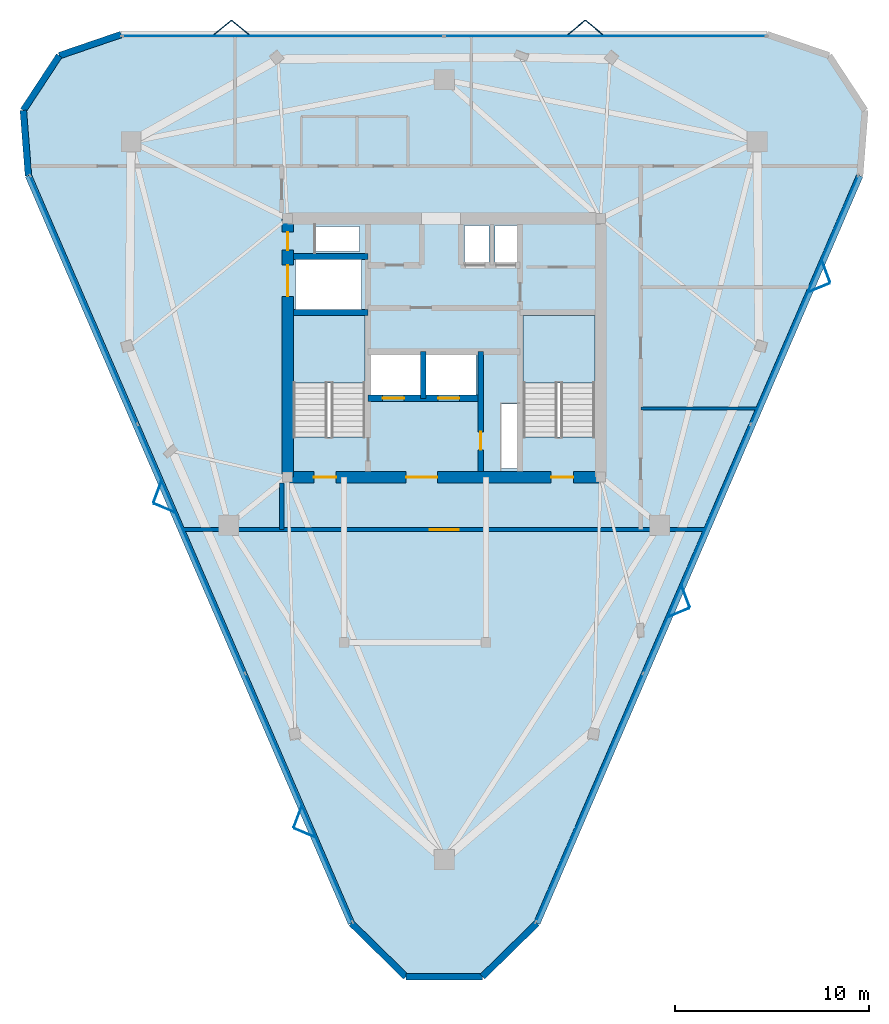
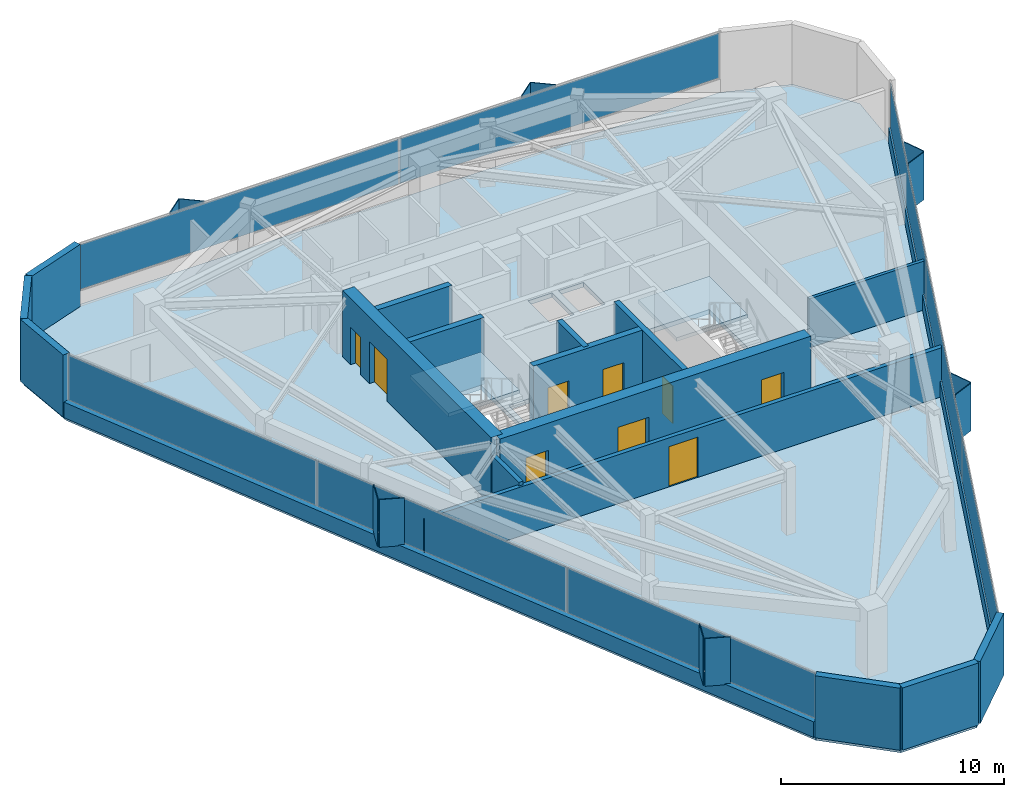
# One storey, part 8 of 11: 20 plates, 18 walls, 9 doors, 3 slabs, 9 openings, 5 elements without a shape of their own.
"""IFC4 building model written with IfcOpenShell, lengths in metres."""

import ifcopenshell
import ifcopenshell.guid

model = None  # the IFC model being written
_history = None  # IfcOwnerHistory: only IFC2X3 demands one
_inside = {}  # id of a spatial element -> (the spatial element, [elements in it])
_under = {}  # id of a project, library or spatial element -> (it, [spatial elements below it])
_declared = {}  # id of a project -> (the project, [libraries it declares])
_typed = {}  # id of a type object -> (the type object, [elements of that type])
_made_of = {}  # id of a material, layer set ... -> (it, [elements and type objects made of it])


def new_model(schema):
    """Start an empty IFC model of exactly this schema.

    Asked for "IFC4X3", IfcOpenShell would pick the latest addendum, in which some entities
    have other attributes; the version numbers below select the first issue.
    IFC2X3 requires an IfcOwnerHistory on every rooted entity: one is made here for all.
    """
    global model, _history
    if schema == "IFC4X3":
        model = ifcopenshell.file(schema_version=(4, 3, 0, 0))
    else:
        model = ifcopenshell.file(schema=schema)
    _inside.clear()
    _under.clear()
    _declared.clear()
    _typed.clear()
    _made_of.clear()
    _history = None
    if model.schema == "IFC2X3":
        org = make("IfcOrganization", Name="unknown")
        user = make(
            "IfcPersonAndOrganization",
            ThePerson=make("IfcPerson", FamilyName="unknown"),
            TheOrganization=org,
        )
        app = make(
            "IfcApplication",
            ApplicationDeveloper=org,
            Version="unknown",
            ApplicationFullName="unknown",
            ApplicationIdentifier="unknown",
        )
        _history = make(
            "IfcOwnerHistory",
            OwningUser=user,
            OwningApplication=app,
            ChangeAction="ADDED",
            CreationDate=0,
        )
    return model


def make(cls, **values):
    """One entity of the class cls with the attributes given. An attribute that is None is left unset."""
    return model.create_entity(
        cls, **{name: value for name, value in values.items() if value is not None}
    )


def rooted(cls, **values):
    """An entity with a GlobalId (a new one), such as an element, a storey or a relation."""
    return make(cls, GlobalId=ifcopenshell.guid.new(), OwnerHistory=_history, **values)


def si_unit(unit_type, name, prefix=None):
    """IfcSIUnit, for example si_unit("LENGTHUNIT", "METRE", prefix="MILLI")."""
    return make("IfcSIUnit", UnitType=unit_type, Prefix=prefix, Name=name)


def assignment(units):
    """IfcUnitAssignment: the units of a project."""
    return None if units is None else make("IfcUnitAssignment", Units=units)


def point(xyz):
    """IfcCartesianPoint."""
    return None if xyz is None else make("IfcCartesianPoint", Coordinates=xyz)


def direction(xyz):
    """IfcDirection."""
    return None if xyz is None else make("IfcDirection", DirectionRatios=xyz)


def frame(location, z_axis=None, x_axis=None):
    """IfcAxis2Placement3D, a coordinate frame: its origin and axes. An axis left out is left unset."""
    return make(
        "IfcAxis2Placement3D",
        Location=point(location),
        Axis=direction(z_axis),
        RefDirection=direction(x_axis),
    )


def frame_2d(location, x_axis=None):
    """IfcAxis2Placement2D, a coordinate frame in the plane: its origin and x axis."""
    return make(
        "IfcAxis2Placement2D", Location=point(location), RefDirection=direction(x_axis)
    )


def origin():
    """The frame at (0, 0, 0) with its axes left unset."""
    return frame((0.0, 0.0, 0.0))


def origin_2d():
    """The frame at (0, 0) in the plane with its x axis left unset."""
    return frame_2d((0.0, 0.0))


def place(relative_to, where):
    """IfcLocalPlacement: puts the frame where relative to a parent placement (None: the world)."""
    return make(
        "IfcLocalPlacement", PlacementRelTo=relative_to, RelativePlacement=where
    )


def context(
    kind, dimensions, precision=None, world=None, true_north=None, identifier=None
):
    """IfcGeometricRepresentationContext, for example the 3D "Model" context."""
    return make(
        "IfcGeometricRepresentationContext",
        ContextIdentifier=identifier,
        ContextType=kind,
        CoordinateSpaceDimension=dimensions,
        Precision=precision,
        WorldCoordinateSystem=world,
        TrueNorth=true_north,
    )


def subcontext(parent, identifier, kind, view, scale=None):
    """IfcGeometricRepresentationSubContext, for example "Body" below "Model"."""
    return make(
        "IfcGeometricRepresentationSubContext",
        ContextIdentifier=identifier,
        ContextType=kind,
        ParentContext=parent,
        TargetScale=scale,
        TargetView=view,
    )


def project(units=None, contexts=None):
    """IfcProject with its units and contexts."""
    return rooted(
        "IfcProject",
        Name="project",
        RepresentationContexts=contexts,
        UnitsInContext=assignment(units),
    )


def spatial(cls, under=None, at=None, **own):
    """A site, building, storey or space (cls), placed at a placement, below another one or the project."""
    s = rooted(cls, ObjectPlacement=at, **own)
    if under is not None:
        _under.setdefault(under.id(), (under, []))[1].append(s)
    return s


def polyline(points):
    """IfcPolyline through the points."""
    return make("IfcPolyline", Points=[point(p) for p in points])


def profile(cls, at=None, kind="AREA", **sizes):
    """A parametric profile (cls). Its sizes go by their IFC names, for example OverallWidth=200.0."""
    return make(cls, ProfileType=kind, Position=at, **sizes)


def rectangle(**sizes):
    """IfcRectangleProfileDef."""
    return profile("IfcRectangleProfileDef", **sizes)


def outline(outer, holes=None, kind="AREA"):
    """IfcArbitraryClosedProfileDef: a profile drawn as a closed curve; with holes, ...WithVoids."""
    if holes is None:
        return make("IfcArbitraryClosedProfileDef", ProfileType=kind, OuterCurve=outer)
    return make(
        "IfcArbitraryProfileDefWithVoids",
        ProfileType=kind,
        OuterCurve=outer,
        InnerCurves=holes,
    )


def extrude(swept, where, along, depth):
    """IfcExtrudedAreaSolid: the profile swept, set in the frame where, extruded along a direction by depth."""
    return make(
        "IfcExtrudedAreaSolid",
        SweptArea=swept,
        Position=where,
        ExtrudedDirection=direction(along),
        Depth=depth,
    )


def shape(context_of_items, identifier, shape_type, items):
    """IfcShapeRepresentation: the items that make up one representation, for example the "Body"."""
    return make(
        "IfcShapeRepresentation",
        ContextOfItems=context_of_items,
        RepresentationIdentifier=identifier,
        RepresentationType=shape_type,
        Items=items,
    )


def material(Name=None, Category=None):
    """IfcMaterial."""
    return make("IfcMaterial", Name=Name, Category=Category)


def layer(
    of_material, thickness, ventilated=None, Name=None, Category=None, Priority=None
):
    """IfcMaterialLayer: one layer of a wall or slab, of a material (None: an air gap)."""
    return make(
        "IfcMaterialLayer",
        Material=of_material,
        LayerThickness=thickness,
        IsVentilated=ventilated,
        Name=Name,
        Category=Category,
        Priority=Priority,
    )


def layer_set(layers, Name=None):
    """IfcMaterialLayerSet."""
    return make("IfcMaterialLayerSet", MaterialLayers=layers, LayerSetName=Name)


def made_of(thing, what):
    """Note that an element or type object is made of a material, layer set ...; save() writes the relation."""
    if what is not None:
        _made_of.setdefault(what.id(), (what, []))[1].append(thing)
    return thing


def type_object(cls, material=None, **own):
    """A type object (cls), such as IfcWallType, which elements share."""
    return made_of(rooted(cls, **own), material)


def element(
    cls,
    number,
    at=None,
    inside=None,
    cuts=None,
    type_object=None,
    material=None,
    context=None,
    identifier="Body",
    shape_type=None,
    held_by="IfcProductDefinitionShape",
    body=None,
    shapes=None,
    **own,
):
    """One element of the class cls, such as IfcWall. Its Tag is "e" and its number.

    at: its placement. inside: the storey or other place that contains it. cuts: it is an
    opening in that element (IfcRelVoidsElement). A single representation is given by context,
    identifier, shape_type and body (its items); several are given by shapes. held_by: the class
    of the entity that holds the representations. save() writes the other relations.
    """
    e = rooted(cls, Tag="e%d" % number, ObjectPlacement=at, **own)
    if body is not None:
        shapes = [shape(context, identifier, shape_type, body)]
    if shapes is not None:
        e.Representation = make(held_by, Representations=shapes)
    if inside is not None:
        _inside.setdefault(inside.id(), (inside, []))[1].append(e)
    if cuts is not None:
        rooted(
            "IfcRelVoidsElement", RelatingBuildingElement=cuts, RelatedOpeningElement=e
        )
    if type_object is not None:
        _typed.setdefault(type_object.id(), (type_object, []))[1].append(e)
    return made_of(e, material)


def fill(opening, filler):
    """IfcRelFillsElement: the door or window that sits in an opening."""
    return rooted(
        "IfcRelFillsElement",
        RelatingOpeningElement=opening,
        RelatedBuildingElement=filler,
    )


def aggregate(whole, parts):
    """IfcRelAggregates: a whole, such as a stair, and the parts it consists of."""
    return rooted("IfcRelAggregates", RelatingObject=whole, RelatedObjects=parts)


def save(model, path):
    """Write the relations noted so far, then the file.

    IfcRelAggregates (storeys below a building ...), IfcRelContainedInSpatialStructure (elements
    in a storey), IfcRelDefinesByType, IfcRelAssociatesMaterial and IfcRelDeclares: one each for
    every whole, place, type object, material and project.
    """
    for whole, parts in _under.values():
        aggregate(whole, parts)
    for where, things in _inside.values():
        rooted(
            "IfcRelContainedInSpatialStructure",
            RelatedElements=things,
            RelatingStructure=where,
        )
    for kind, things in _typed.values():
        rooted("IfcRelDefinesByType", RelatedObjects=things, RelatingType=kind)
    for what, things in _made_of.values():
        rooted("IfcRelAssociatesMaterial", RelatedObjects=things, RelatingMaterial=what)
    for by, libraries in _declared.values():
        rooted("IfcRelDeclares", RelatingContext=by, RelatedDefinitions=libraries)
    model.write(path)


model = new_model("IFC4")

# Units and contexts
model_context = context("Model", 3, precision=1e-05, world=origin(), true_north=direction((0.0, 1.0)))
body_context = subcontext(model_context, "Body", "Model", "MODEL_VIEW")
ifc_project = project(units=[si_unit("LENGTHUNIT", "METRE"), si_unit("AREAUNIT", "SQUARE_METRE"), si_unit("VOLUMEUNIT", "CUBIC_METRE"), si_unit("PLANEANGLEUNIT", "RADIAN"), si_unit("MASSUNIT", "GRAM", prefix="KILO")], contexts=[model_context])

# Site, building, storey
site_placement = place(None, origin())
site = spatial("IfcSite", under=ifc_project, at=site_placement, CompositionType="ELEMENT")
building_placement = place(site_placement, origin())
building = spatial("IfcBuilding", under=site, at=building_placement, Name="Talyreon Biosciences Tower", CompositionType="ELEMENT")
storey_placement = place(building_placement, frame((0.0, 0.0, 283.800048828125)))
storey = spatial("IfcBuildingStorey", under=building, at=storey_placement, Name="L75", CompositionType="ELEMENT", Elevation=283.800048828125)

# Curtain wall, plates
ifc_material_1 = material(Name="Thermally broken aluminium and low-E glazing", Category="aluminium")
ifc_layer_1 = layer(ifc_material_1, 0.175048828125)
ifc_layer_set_1 = layer_set([ifc_layer_1], Name="Thermally broken aluminium and low-E glazing")
curtain_wall_type = type_object("IfcCurtainWallType", Name="CurtainWall_Zone5CompLab", PredefinedType="NOTDEFINED", material=ifc_layer_set_1)
curtain_wall_1_placement = place(storey_placement, origin())
curtain_wall_1 = element("IfcCurtainWall", 1, at=curtain_wall_1_placement, inside=storey, type_object=curtain_wall_type, Name="L75 Unitised Curtain Wall FCW-L75-00", PredefinedType="NOTDEFINED")
ifc_material_2 = material(Name="Triple-silver low-E insulated glazing", Category="glass")
ifc_layer_2 = layer(ifc_material_2, 0.031982421875)
ifc_layer_set_2 = layer_set([ifc_layer_2], Name="Triple-silver low-E insulated glazing")
plate_type_1 = type_object("IfcPlateType", Name="CWGlazingPanel_32", PredefinedType="CURTAIN_PANEL", material=ifc_layer_set_2)
plate_1_placement = place(storey_placement, frame((58.525390625, 44.86083984375, 0.875), z_axis=(0.0, 0.0, 1.0), x_axis=(-0.396528446404, 0.918022435016, 0.0)))
plate_1 = element("IfcPlate", 2, at=plate_1_placement, type_object=plate_type_1, Name="CW6 panel 1.1", PredefinedType="CURTAIN_PANEL", context=body_context, shape_type="SweptSolid", body=[
    extrude(rectangle(XDim=13.863525390625, YDim=0.031982421875, at=origin_2d()), origin(), (0.0, 0.0, 1.0), 2.4599609375),
])
plate_2_placement = place(storey_placement, frame((52.995849609375, 57.662353515625, 0.875), z_axis=(0.0, 0.0, 1.0), x_axis=(-0.396528446404, 0.918022435016, 0.0)))
plate_2 = element("IfcPlate", 3, at=plate_2_placement, type_object=plate_type_1, Name="CW6 panel 2.1", PredefinedType="CURTAIN_PANEL", context=body_context, shape_type="SweptSolid", body=[
    extrude(rectangle(XDim=13.89599609375, YDim=0.031982421875, at=origin_2d()), origin(), (0.0, 0.0, 1.0), 2.4599609375),
])
plate_3_placement = place(storey_placement, frame((47.46630859375, 70.4638671875, 0.875), z_axis=(0.0, 0.0, 1.0), x_axis=(-0.396528446404, 0.918022435016, 0.0)))
plate_3 = element("IfcPlate", 4, at=plate_3_placement, type_object=plate_type_1, Name="CW6 panel 3.1", PredefinedType="CURTAIN_PANEL", context=body_context, shape_type="SweptSolid", body=[
    extrude(rectangle(XDim=13.863525390625, YDim=0.031982421875, at=origin_2d()), origin(), (0.0, 0.0, 1.0), 2.4599609375),
])
aggregate(curtain_wall_1, [plate_1, plate_2, plate_3])

curtain_wall_2_placement = place(storey_placement, origin())
curtain_wall_2 = element("IfcCurtainWall", 5, at=curtain_wall_2_placement, inside=storey, type_object=curtain_wall_type, Name="L75 Unitised Curtain Wall FCW-L75-04", PredefinedType="NOTDEFINED")
plate_4_placement = place(storey_placement, frame((57.71240234375, 84.037109375, 0.875), z_axis=(0.0, 0.0, 1.0), x_axis=(1.0, 0.0, 0.0)))
plate_4 = element("IfcPlate", 6, at=plate_4_placement, type_object=plate_type_1, Name="CW6 panel 1.1", PredefinedType="CURTAIN_PANEL", context=body_context, shape_type="SweptSolid", body=[
    extrude(rectangle(XDim=16.51025390625, YDim=0.031982421875, at=origin_2d()), origin(), (0.0, 0.0, 1.0), 2.4599609375),
])
plate_5_placement = place(storey_placement, frame((74.28759765625, 84.037109375, 0.875), z_axis=(0.0, 0.0, 1.0), x_axis=(1.0, 0.0, 0.0)))
plate_5 = element("IfcPlate", 7, at=plate_5_placement, type_object=plate_type_1, Name="CW6 panel 2.1", PredefinedType="CURTAIN_PANEL", context=body_context, shape_type="SweptSolid", body=[
    extrude(rectangle(XDim=16.51025390625, YDim=0.031982421875, at=origin_2d()), origin(), (0.0, 0.0, 1.0), 2.4599609375),
])
aggregate(curtain_wall_2, [plate_4, plate_5])

curtain_wall_3_placement = place(storey_placement, origin())
curtain_wall_3 = element("IfcCurtainWall", 8, at=curtain_wall_3_placement, inside=storey, type_object=curtain_wall_type, Name="L75 Unitised Curtain Wall FCW-L75-08", PredefinedType="NOTDEFINED")
plate_6_placement = place(storey_placement, frame((84.53369140625, 70.4638671875, 0.875), z_axis=(0.0, 0.0, 1.0), x_axis=(-0.396528446404, -0.918022435016, 0.0)))
plate_6 = element("IfcPlate", 9, at=plate_6_placement, type_object=plate_type_1, Name="CW6 panel 1.1", PredefinedType="CURTAIN_PANEL", context=body_context, shape_type="SweptSolid", body=[
    extrude(rectangle(XDim=13.863525390625, YDim=0.031982421875, at=origin_2d()), origin(), (0.0, 0.0, 1.0), 2.4599609375),
])
plate_7_placement = place(storey_placement, frame((79.004150390625, 57.662353515625, 0.875), z_axis=(0.0, 0.0, 1.0), x_axis=(-0.396528446404, -0.918022435016, 0.0)))
plate_7 = element("IfcPlate", 10, at=plate_7_placement, type_object=plate_type_1, Name="CW6 panel 2.1", PredefinedType="CURTAIN_PANEL", context=body_context, shape_type="SweptSolid", body=[
    extrude(rectangle(XDim=13.89599609375, YDim=0.031982421875, at=origin_2d()), origin(), (0.0, 0.0, 1.0), 2.4599609375),
])
plate_8_placement = place(storey_placement, frame((73.474609375, 44.86083984375, 0.875), z_axis=(0.0, 0.0, 1.0), x_axis=(-0.396528446404, -0.918022435016, 0.0)))
plate_8 = element("IfcPlate", 11, at=plate_8_placement, type_object=plate_type_1, Name="CW6 panel 3.1", PredefinedType="CURTAIN_PANEL", context=body_context, shape_type="SweptSolid", body=[
    extrude(rectangle(XDim=13.863525390625, YDim=0.031982421875, at=origin_2d()), origin(), (0.0, 0.0, 1.0), 2.4599609375),
])
aggregate(curtain_wall_3, [plate_6, plate_7, plate_8])

# Slab
ifc_material_3 = material(Name="Concrete C40/50", Category="concrete")
ifc_layer_3 = layer(ifc_material_3, 0.25)
ifc_layer_set_3 = layer_set([ifc_layer_3], Name="Concrete C40/50")
slab_type_1 = type_object("IfcSlabType", Name="DryLabFloorSlab_250", PredefinedType="FLOOR", material=ifc_layer_set_3)
slab_1_placement = place(storey_placement, frame((0.0, 0.0, -0.25)))
element("IfcSlab", 12, at=slab_1_placement, inside=storey, type_object=slab_type_1, Name="L75 Structural Floor Slab", PredefinedType="FLOOR", context=body_context, shape_type="SweptSolid", body=[
    extrude(outline(polyline([(61.226318359375, 38.406005859375), (44.61865234375, 76.855224609375), (44.356201171875, 80.212646484375), (46.2060546875, 83.02685546875), (49.392333984375, 84.1171875), (82.607666015625, 84.1171875), (85.7939453125, 83.02685546875), (87.643798828125, 80.212646484375), (87.38134765625, 76.855224609375), (70.773681640625, 38.406005859375), (67.9658203125, 35.65380859375), (64.0341796875, 35.65380859375), (61.226318359375, 38.406005859375)]), holes=[polyline([(69.820068359375, 65.10009765625), (69.820068359375, 61.800048828125), (68.9599609375, 61.800048828125), (68.9599609375, 65.10009765625), (69.820068359375, 65.10009765625)]), polyline([(61.929931640625, 69.64990234375), (61.929931640625, 63.407958984375), (58.25, 63.407958984375), (58.25, 69.64990234375), (61.929931640625, 69.64990234375)]), polyline([(73.75, 69.64990234375), (73.75, 63.407958984375), (70.070068359375, 63.407958984375), (70.070068359375, 69.64990234375), (73.75, 69.64990234375)]), polyline([(64.800048828125, 67.64990234375), (64.800048828125, 65.550048828125), (62.199951171875, 65.550048828125), (62.199951171875, 67.64990234375), (64.800048828125, 67.64990234375)]), polyline([(67.64990234375, 67.64990234375), (67.64990234375, 65.550048828125), (65.050048828125, 65.550048828125), (65.050048828125, 67.64990234375), (67.64990234375, 67.64990234375)]), polyline([(61.75, 72.550048828125), (61.75, 69.97998046875), (58.35009765625, 69.97998046875), (58.35009765625, 72.550048828125), (61.75, 72.550048828125)]), polyline([(68.300048828125, 74.300048828125), (68.300048828125, 72.35009765625), (67.050048828125, 72.35009765625), (67.050048828125, 74.300048828125), (68.300048828125, 74.300048828125)]), polyline([(69.919921875, 72.35009765625), (68.6201171875, 72.35009765625), (68.6201171875, 74.300048828125), (69.919921875, 74.300048828125), (69.919921875, 72.35009765625)]), polyline([(61.64990234375, 72.9599609375), (59.39990234375, 72.9599609375), (59.39990234375, 74.25), (61.64990234375, 74.25), (61.64990234375, 72.9599609375)])]), origin(), (0.0, 0.0, 1.0), 0.25),
])

# Plates
ifc_material_4 = material(Name="Ivory GFRC sunshade panel", Category="concrete")
ifc_layer_4 = layer(ifc_material_4, 0.044921875)
ifc_layer_set_4 = layer_set([ifc_layer_4], Name="Ivory GFRC sunshade panel")
plate_type_2 = type_object("IfcPlateType", Name="FoldedVSunshade_NorthFace_SUNSHADE", PredefinedType="USERDEFINED", material=ifc_layer_set_4)
for number, where, z_axis, x_axis, name in (
    (13, (54.6123046875, 84.477294921875, 0.7900390625), (0.0, 0.0, 1.0), (0.771624583388, 0.636078220278, 0.0), "L75 Folded V-Sunshade Panel 04.01L"),
    (14, (55.51220703125, 84.477294921875, 0.7900390625), (0.0, 0.0, 1.0), (0.771624583388, -0.636078220278, 0.0), "L75 Folded V-Sunshade Panel 04.01R"),
    (15, (72.812255859375, 84.477294921875, 0.7900390625), (0.0, 0.0, 1.0), (0.771624583388, 0.636078220278, 0.0), "L75 Folded V-Sunshade Panel 04.02L"),
    (16, (73.71240234375, 84.477294921875, 0.7900390625), (0.0, 0.0, 1.0), (0.771624583388, -0.636078220278, 0.0), "L75 Folded V-Sunshade Panel 04.02R"),
):
    element("IfcPlate", number, at=place(storey_placement, frame(where, z_axis=z_axis, x_axis=x_axis)), inside=storey, type_object=plate_type_2, Name=name, ObjectType="SUNSHADE", PredefinedType="USERDEFINED", context=body_context, shape_type="SweptSolid", body=[
        extrude(rectangle(XDim=1.14990234375, YDim=0.044921875, at=origin_2d()), origin(), (0.0, 0.0, 1.0), 2.610107421875),
    ])
ifc_layer_5 = layer(ifc_material_4, 0.044921875)
ifc_layer_set_5 = layer_set([ifc_layer_5], Name="Ivory GFRC sunshade panel")
plate_type_3 = type_object("IfcPlateType", Name="FoldedVSunshade_SunFace_SUNSHADE", PredefinedType="USERDEFINED", material=ifc_layer_set_5)
for number, where, z_axis, x_axis, name in (
    (17, (58.825927734375, 43.055419921875, 0.7900390625), (0.0, 0.0, 1.0), (-0.922948421732, 0.384923642846, 0.0), "L75 Folded V-Sunshade Panel 00.01L"),
    (18, (58.468994140625, 43.881591796875, 0.7900390625), (0.0, 0.0, 1.0), (0.352478722362, 0.935819827895, 0.0), "L75 Folded V-Sunshade Panel 00.01R"),
    (19, (51.609130859375, 59.76318359375, 0.7900390625), (0.0, 0.0, 1.0), (-0.922948421732, 0.384923642846, 0.0), "L75 Folded V-Sunshade Panel 00.02L"),
    (20, (51.252197265625, 60.589599609375, 0.7900390625), (0.0, 0.0, 1.0), (0.352478722362, 0.935819827895, 0.0), "L75 Folded V-Sunshade Panel 00.02R"),
    (21, (85.64208984375, 71.92041015625, 0.7900390625), (0.0, 0.0, 1.0), (0.352478722362, -0.935819827895, 0.0), "L75 Folded V-Sunshade Panel 08.01L"),
    (22, (85.28515625, 71.09423828125, 0.7900390625), (0.0, 0.0, 1.0), (-0.922948421732, -0.384923642846, 0.0), "L75 Folded V-Sunshade Panel 08.01R"),
    (23, (78.42529296875, 55.21240234375, 0.7900390625), (0.0, 0.0, 1.0), (0.352478722362, -0.935819827895, 0.0), "L75 Folded V-Sunshade Panel 08.02L"),
    (24, (78.068359375, 54.38623046875, 0.7900390625), (0.0, 0.0, 1.0), (-0.922948421732, -0.384923642846, 0.0), "L75 Folded V-Sunshade Panel 08.02R"),
):
    element("IfcPlate", number, at=place(storey_placement, frame(where, z_axis=z_axis, x_axis=x_axis)), inside=storey, type_object=plate_type_3, Name=name, ObjectType="SUNSHADE", PredefinedType="USERDEFINED", context=body_context, shape_type="SweptSolid", body=[
        extrude(rectangle(XDim=1.14990234375, YDim=0.044921875, at=origin_2d()), origin(), (0.0, 0.0, 1.0), 2.610107421875),
    ])

# Stair, slab
stair_type = type_object("IfcStairType", Name="DoglegEscapeStair_3650", PredefinedType="HALF_TURN_STAIR", material=ifc_material_3)
stair_1_placement = place(storey_placement, origin())
stair_1 = element("IfcStair", 25, at=stair_1_placement, inside=storey, type_object=stair_type, Name="L75 Core Escape Stair 1", PredefinedType="HALF_TURN_STAIR")
ifc_layer_6 = layer(ifc_material_3, 0.199951171875)
ifc_layer_set_6 = layer_set([ifc_layer_6], Name="Concrete C40/50")
slab_type_2 = type_object("IfcSlabType", Name="StairLandingSlab_200", PredefinedType="LANDING", material=ifc_layer_set_6)
slab_2_placement = place(storey_placement, frame((0.0, 0.0, 1.625)))
slab_2 = element("IfcSlab", 26, at=slab_2_placement, type_object=slab_type_2, Name="ST-1 landing 1", PredefinedType="LANDING", context=body_context, shape_type="SweptSolid", body=[
    extrude(outline(polyline([(61.929931640625, 66.199951171875), (61.929931640625, 69.64990234375), (58.25, 69.64990234375), (58.25, 66.199951171875), (61.929931640625, 66.199951171875)])), origin(), (0.0, 0.0, 1.0), 0.199951171875),
])
aggregate(stair_1, [slab_2])

stair_2_placement = place(storey_placement, origin())
stair_2 = element("IfcStair", 27, at=stair_2_placement, inside=storey, type_object=stair_type, Name="L75 Core Escape Stair 2", PredefinedType="HALF_TURN_STAIR")
slab_3_placement = place(storey_placement, frame((0.0, 0.0, 1.625)))
slab_3 = element("IfcSlab", 28, at=slab_3_placement, type_object=slab_type_2, Name="ST-2 landing 1", PredefinedType="LANDING", context=body_context, shape_type="SweptSolid", body=[
    extrude(outline(polyline([(73.75, 66.199951171875), (73.75, 69.64990234375), (70.070068359375, 69.64990234375), (70.070068359375, 66.199951171875), (73.75, 66.199951171875)])), origin(), (0.0, 0.0, 1.0), 0.199951171875),
])
aggregate(stair_2, [slab_3])

# Wall
ifc_material_5 = material(Name="Concrete C50/60", Category="concrete")
ifc_layer_7 = layer(ifc_material_5, 0.280029296875)
ifc_layer_set_7 = layer_set([ifc_layer_7], Name="Concrete C50/60")
wall_type_1 = type_object("IfcWallType", Name="CoreShearWall_280", PredefinedType="SHEAR", material=ifc_layer_set_7)
wall_1_placement = place(storey_placement, frame((64.919921875, 65.39990234375, 0.0), z_axis=(0.0, 0.0, 1.0), x_axis=(0.0, 1.0, 0.0)))
element("IfcWall", 29, at=wall_1_placement, inside=storey, type_object=wall_type_1, Name="L75 Core Shaft Wall SWSHD1", PredefinedType="SHEAR", context=body_context, shape_type="SweptSolid", body=[
    extrude(rectangle(XDim=2.400146484375, YDim=0.280029296875, at=frame_2d((1.2001953125, 0.0))), origin(), (0.0, 0.0, 1.0), 3.64990234375),
])

# Wall, opening, door
wall_2_placement = place(storey_placement, frame((67.8798828125, 61.64990234375, 0.0), z_axis=(0.0, 0.0, 1.0), x_axis=(0.0, 1.0, 0.0)))
wall_2 = element("IfcWall", 30, at=wall_2_placement, inside=storey, type_object=wall_type_1, Name="L75 Core Shaft Wall SWFFE", PredefinedType="SHEAR", context=body_context, shape_type="SweptSolid", body=[
    extrude(rectangle(XDim=6.150146484375, YDim=0.280029296875, at=frame_2d((3.0751953125, 0.0))), origin(), (0.0, 0.0, 1.0), 3.64990234375),
])
opening_1_placement = place(wall_2_placement, frame((1.10009765625, 0.0, 0.0)))
opening_1 = element("IfcOpeningElement", 31, at=opening_1_placement, cuts=wall_2, Name="Opening DR-L75-RSE", PredefinedType="OPENING", context=body_context, shape_type="SweptSolid", body=[
    extrude(rectangle(XDim=0.919921875, YDim=2.050048828125, at=frame_2d((0.4599609375, 1.02490234375))), frame((0.0, 0.14990234375, 0.0), z_axis=(0.0, -1.0, 0.0), x_axis=(1.0, 0.0, 0.0)), (0.0, 0.0, 1.0), 0.300048828125),
])
ifc_material_6 = material(Name="Painted steel fire-rated riser door", Category="steel")
door_type_1 = type_object("IfcDoorType", Name="RiserPlantAccessDoor_920x2050", OperationType="NOTDEFINED", PredefinedType="DOOR", material=ifc_material_6)
door_1_placement = place(opening_1_placement, origin())
door_1 = element("IfcDoor", 32, at=door_1_placement, inside=storey, type_object=door_type_1, Name="L75 Core Door DR-L75-RSE", OperationType="SINGLE_SWING_RIGHT", OverallHeight=2.050048828125, OverallWidth=0.919921875, PredefinedType="DOOR", context=body_context, shape_type="SweptSolid", body=[
    extrude(rectangle(XDim=0.919921875, YDim=2.050048828125, at=frame_2d((0.4599609375, 1.02490234375))), frame((0.0, 0.02490234375, 0.0), z_axis=(0.0, -1.0, 0.0), x_axis=(1.0, 0.0, 0.0)), (0.0, 0.0, 1.0), 0.050048828125),
])
fill(opening_1, door_1)

# Walls
ifc_layer_8 = layer(ifc_material_5, 0.320068359375)
ifc_layer_set_8 = layer_set([ifc_layer_8], Name="Concrete C50/60")
wall_type_2 = type_object("IfcWallType", Name="CoreShearWall_320", PredefinedType="SHEAR", material=ifc_layer_set_8)
for number, where, z_axis, x_axis, name in (
    (33, (58.25, 69.81005859375, 0.0), (0.0, 0.0, 1.0), (1.0, 0.0, 0.0), "L75 Core Shaft Wall SW1N"),
    (34, (58.25, 72.699951171875, 0.0), (0.0, 0.0, 1.0), (1.0, 0.0, 0.0), "L75 Core Shaft Wall SWGLN"),
):
    element("IfcWall", number, at=place(storey_placement, frame(where, z_axis=z_axis, x_axis=x_axis)), inside=storey, type_object=wall_type_2, Name=name, PredefinedType="SHEAR", context=body_context, shape_type="SweptSolid", body=[
        extrude(rectangle(XDim=3.840087890625, YDim=0.320068359375, at=frame_2d((1.919921875, 0.0))), origin(), (0.0, 0.0, 1.0), 3.64990234375),
    ])

# Wall, openings, doors
wall_3_placement = place(storey_placement, frame((62.090087890625, 65.39990234375, 0.0), z_axis=(0.0, 0.0, 1.0), x_axis=(1.0, 0.0, 0.0)))
wall_3 = element("IfcWall", 35, at=wall_3_placement, inside=storey, type_object=wall_type_2, Name="L75 Core Shaft Wall SWFFN", PredefinedType="SHEAR", context=body_context, shape_type="SweptSolid", body=[
    extrude(rectangle(XDim=5.789794921875, YDim=0.320068359375, at=frame_2d((2.89501953125, 0.0))), origin(), (0.0, 0.0, 1.0), 3.64990234375),
])
opening_2_placement = place(wall_3_placement, frame((0.75, 0.0, 0.0)))
opening_2 = element("IfcOpeningElement", 36, at=opening_2_placement, cuts=wall_3, Name="Opening LD-L75-FL1", PredefinedType="OPENING", context=body_context, shape_type="SweptSolid", body=[
    extrude(rectangle(XDim=1.10009765625, YDim=2.199951171875, at=frame_2d((0.550048828125, 1.10009765625))), frame((0.0, 0.169921875, 0.0), z_axis=(0.0, -1.0, 0.0), x_axis=(1.0, 0.0, 0.0)), (0.0, 0.0, 1.0), 0.340087890625),
])
opening_3_placement = place(wall_3_placement, frame((3.60009765625, 0.0, 0.0)))
opening_3 = element("IfcOpeningElement", 37, at=opening_3_placement, cuts=wall_3, Name="Opening LD-L75-FL2", PredefinedType="OPENING", context=body_context, shape_type="SweptSolid", body=[
    extrude(rectangle(XDim=1.10009765625, YDim=2.199951171875, at=frame_2d((0.550048828125, 1.10009765625))), frame((0.0, 0.169921875, 0.0), z_axis=(0.0, -1.0, 0.0), x_axis=(1.0, 0.0, 0.0)), (0.0, 0.0, 1.0), 0.340087890625),
])
ifc_material_7 = material(Name="Brushed stainless-steel lift landing door", Category="steel")
door_type_2 = type_object("IfcDoorType", Name="LiftSlidingLandingDoor_1100x2200", OperationType="SLIDING_TO_LEFT", PredefinedType="DOOR", material=ifc_material_7)
door_2_placement = place(opening_2_placement, origin())
door_2 = element("IfcDoor", 38, at=door_2_placement, inside=storey, type_object=door_type_2, Name="L75 Core Door LD-L75-FL1", OperationType="SLIDING_TO_LEFT", OverallHeight=2.199951171875, OverallWidth=1.10009765625, PredefinedType="DOOR", context=body_context, shape_type="SweptSolid", body=[
    extrude(rectangle(XDim=1.10009765625, YDim=2.199951171875, at=frame_2d((0.550048828125, 1.10009765625))), frame((0.0, 0.02490234375, 0.0), z_axis=(0.0, -1.0, 0.0), x_axis=(1.0, 0.0, 0.0)), (0.0, 0.0, 1.0), 0.050048828125),
])
fill(opening_2, door_2)
door_3_placement = place(opening_3_placement, origin())
door_3 = element("IfcDoor", 39, at=door_3_placement, inside=storey, type_object=door_type_2, Name="L75 Core Door LD-L75-FL2", OperationType="SLIDING_TO_LEFT", OverallHeight=2.199951171875, OverallWidth=1.10009765625, PredefinedType="DOOR", context=body_context, shape_type="SweptSolid", body=[
    extrude(rectangle(XDim=1.10009765625, YDim=2.199951171875, at=frame_2d((0.550048828125, 1.10009765625))), frame((0.0, 0.02490234375, 0.0), z_axis=(0.0, -1.0, 0.0), x_axis=(1.0, 0.0, 0.0)), (0.0, 0.0, 1.0), 0.050048828125),
])
fill(opening_3, door_3)

ifc_layer_9 = layer(ifc_material_5, 0.60009765625)
ifc_layer_set_9 = layer_set([ifc_layer_9], Name="Concrete C50/60")
wall_type_3 = type_object("IfcWallType", Name="CoreShearWall_600", PredefinedType="SHEAR", material=ifc_layer_set_9)
wall_4_placement = place(storey_placement, frame((57.949951171875, 61.35009765625, 0.0), z_axis=(0.0, 0.0, 1.0), x_axis=(1.0, 0.0, 0.0)))
wall_4 = element("IfcWall", 40, at=wall_4_placement, inside=storey, type_object=wall_type_3, Name="L75 Core Shear Wall S", PredefinedType="SHEAR", context=body_context, shape_type="SweptSolid", body=[
    extrude(rectangle(XDim=16.10009765625, YDim=0.60009765625, at=frame_2d((8.050048828125, 0.0))), origin(), (0.0, 0.0, 1.0), 3.64990234375),
])
opening_4_placement = place(wall_4_placement, frame((1.35009765625, 0.0, 0.0)))
opening_4 = element("IfcOpeningElement", 41, at=opening_4_placement, cuts=wall_4, Name="Opening DR-L75-ST1", PredefinedType="OPENING", context=body_context, shape_type="SweptSolid", body=[
    extrude(rectangle(XDim=1.14990234375, YDim=2.14990234375, at=frame_2d((0.574951171875, 1.074951171875))), frame((0.0, 0.31005859375, 0.0), z_axis=(0.0, -1.0, 0.0), x_axis=(1.0, 0.0, 0.0)), (0.0, 0.0, 1.0), 0.6201171875),
])
opening_5_placement = place(wall_4_placement, frame((6.10009765625, 0.0, 0.0)))
opening_5 = element("IfcOpeningElement", 42, at=opening_5_placement, cuts=wall_4, Name="Opening DR-L75-FFL", PredefinedType="OPENING", context=body_context, shape_type="SweptSolid", body=[
    extrude(rectangle(XDim=1.60009765625, YDim=2.14990234375, at=frame_2d((0.800048828125, 1.074951171875))), frame((0.0, 0.31005859375, 0.0), z_axis=(0.0, -1.0, 0.0), x_axis=(1.0, 0.0, 0.0)), (0.0, 0.0, 1.0), 0.6201171875),
])
opening_6_placement = place(wall_4_placement, frame((13.550048828125, 0.0, 0.0)))
opening_6 = element("IfcOpeningElement", 43, at=opening_6_placement, cuts=wall_4, Name="Opening DR-L75-ST2", PredefinedType="OPENING", context=body_context, shape_type="SweptSolid", body=[
    extrude(rectangle(XDim=1.14990234375, YDim=2.14990234375, at=frame_2d((0.574951171875, 1.074951171875))), frame((0.0, 0.31005859375, 0.0), z_axis=(0.0, -1.0, 0.0), x_axis=(1.0, 0.0, 0.0)), (0.0, 0.0, 1.0), 0.6201171875),
])
ifc_material_8 = material(Name="Painted steel smoke-seal fire door", Category="steel")
door_type_3 = type_object("IfcDoorType", Name="FirefightingLobbyDoubleDoor_1600x2150", OperationType="DOUBLE_DOOR_SINGLE_SWING", PredefinedType="DOOR", material=ifc_material_8)
door_4_placement = place(opening_5_placement, origin())
door_4 = element("IfcDoor", 44, at=door_4_placement, inside=storey, type_object=door_type_3, Name="L75 Core Door DR-L75-FFL", OperationType="DOUBLE_DOOR_SINGLE_SWING", OverallHeight=2.14990234375, OverallWidth=1.60009765625, PredefinedType="DOOR", context=body_context, shape_type="SweptSolid", body=[
    extrude(rectangle(XDim=1.60009765625, YDim=2.14990234375, at=frame_2d((0.800048828125, 1.074951171875))), frame((0.0, 0.02490234375, 0.0), z_axis=(0.0, -1.0, 0.0), x_axis=(1.0, 0.0, 0.0)), (0.0, 0.0, 1.0), 0.050048828125),
])
fill(opening_5, door_4)
ifc_material_9 = material(Name="Painted steel fire door", Category="steel")
door_type_4 = type_object("IfcDoorType", Name="StairShaftFireDoor_1150x2150", OperationType="NOTDEFINED", PredefinedType="DOOR", material=ifc_material_9)
door_5_placement = place(opening_4_placement, origin())
door_5 = element("IfcDoor", 45, at=door_5_placement, inside=storey, type_object=door_type_4, Name="L75 Core Door DR-L75-ST1", OperationType="SINGLE_SWING_LEFT", OverallHeight=2.14990234375, OverallWidth=1.14990234375, PredefinedType="DOOR", context=body_context, shape_type="SweptSolid", body=[
    extrude(rectangle(XDim=1.14990234375, YDim=2.14990234375, at=frame_2d((0.574951171875, 1.074951171875))), frame((0.0, 0.02490234375, 0.0), z_axis=(0.0, -1.0, 0.0), x_axis=(1.0, 0.0, 0.0)), (0.0, 0.0, 1.0), 0.050048828125),
])
fill(opening_4, door_5)
door_6_placement = place(opening_6_placement, origin())
door_6 = element("IfcDoor", 46, at=door_6_placement, inside=storey, type_object=door_type_4, Name="L75 Core Door DR-L75-ST2", OperationType="SINGLE_SWING_RIGHT", OverallHeight=2.14990234375, OverallWidth=1.14990234375, PredefinedType="DOOR", context=body_context, shape_type="SweptSolid", body=[
    extrude(rectangle(XDim=1.14990234375, YDim=2.14990234375, at=frame_2d((0.574951171875, 1.074951171875))), frame((0.0, 0.02490234375, 0.0), z_axis=(0.0, -1.0, 0.0), x_axis=(1.0, 0.0, 0.0)), (0.0, 0.0, 1.0), 0.050048828125),
])
fill(opening_6, door_6)

wall_5_placement = place(storey_placement, frame((57.949951171875, 74.64990234375, 0.0), z_axis=(0.0, 0.0, 1.0), x_axis=(0.0, -1.0, 0.0)))
wall_5 = element("IfcWall", 47, at=wall_5_placement, inside=storey, type_object=wall_type_3, Name="L75 Core Shear Wall W", PredefinedType="SHEAR", context=body_context, shape_type="SweptSolid", body=[
    extrude(rectangle(XDim=13.2998046875, YDim=0.60009765625, at=frame_2d((6.64990234375, 0.0))), origin(), (0.0, 0.0, 1.0), 3.64990234375),
])
opening_7_placement = place(wall_5_placement, frame((0.699951171875, 0.0, 0.0)))
opening_7 = element("IfcOpeningElement", 48, at=opening_7_placement, cuts=wall_5, Name="Opening DR-L75-RSW", PredefinedType="OPENING", context=body_context, shape_type="SweptSolid", body=[
    extrude(rectangle(XDim=0.919921875, YDim=2.050048828125, at=frame_2d((0.4599609375, 1.02490234375))), frame((0.0, 0.31005859375, 0.0), z_axis=(0.0, -1.0, 0.0), x_axis=(1.0, 0.0, 0.0)), (0.0, 0.0, 1.0), 0.6201171875),
])
opening_8_placement = place(wall_5_placement, frame((2.39990234375, 0.0, 0.0)))
opening_8 = element("IfcOpeningElement", 49, at=opening_8_placement, cuts=wall_5, Name="Opening LD-L75-GL1", PredefinedType="OPENING", context=body_context, shape_type="SweptSolid", body=[
    extrude(rectangle(XDim=1.60009765625, YDim=2.300048828125, at=frame_2d((0.800048828125, 1.14990234375))), frame((0.0, 0.31005859375, 0.0), z_axis=(0.0, -1.0, 0.0), x_axis=(1.0, 0.0, 0.0)), (0.0, 0.0, 1.0), 0.6201171875),
])
ifc_material_10 = material(Name="Heavy-duty stainless-steel goods lift door", Category="steel")
door_type_5 = type_object("IfcDoorType", Name="GoodsLiftSlidingDoor_1600x2300", OperationType="DOUBLE_DOOR_SLIDING", PredefinedType="DOOR", material=ifc_material_10)
door_7_placement = place(opening_8_placement, origin())
door_7 = element("IfcDoor", 50, at=door_7_placement, inside=storey, type_object=door_type_5, Name="L75 Core Door LD-L75-GL1", OperationType="DOUBLE_DOOR_SLIDING", OverallHeight=2.300048828125, OverallWidth=1.60009765625, PredefinedType="DOOR", context=body_context, shape_type="SweptSolid", body=[
    extrude(rectangle(XDim=1.60009765625, YDim=2.300048828125, at=frame_2d((0.800048828125, 1.14990234375))), frame((0.0, 0.02490234375, 0.0), z_axis=(0.0, -1.0, 0.0), x_axis=(1.0, 0.0, 0.0)), (0.0, 0.0, 1.0), 0.050048828125),
])
fill(opening_8, door_7)
door_8_placement = place(opening_7_placement, origin())
door_8 = element("IfcDoor", 51, at=door_8_placement, inside=storey, type_object=door_type_1, Name="L75 Core Door DR-L75-RSW", OperationType="SINGLE_SWING_LEFT", OverallHeight=2.050048828125, OverallWidth=0.919921875, PredefinedType="DOOR", context=body_context, shape_type="SweptSolid", body=[
    extrude(rectangle(XDim=0.919921875, YDim=2.050048828125, at=frame_2d((0.4599609375, 1.02490234375))), frame((0.0, 0.02490234375, 0.0), z_axis=(0.0, -1.0, 0.0), x_axis=(1.0, 0.0, 0.0)), (0.0, 0.0, 1.0), 0.050048828125),
])
fill(opening_7, door_8)

# Wall, opening, door
ifc_material_11 = material(Name="Gypsum fireboard acoustic stud", Category="gypsum")
ifc_layer_10 = layer(ifc_material_11, 0.219970703125)
ifc_layer_set_10 = layer_set([ifc_layer_10], Name="Gypsum fireboard acoustic stud")
wall_type_4 = type_object("IfcWallType", Name="CorridorRatedPartition_220", PredefinedType="PARTITIONING", material=ifc_layer_set_10)
wall_6_placement = place(storey_placement, frame((52.57470703125, 58.64990234375, 0.0), z_axis=(0.0, 0.0, 1.0), x_axis=(1.0, 0.0, 0.0)))
wall_6 = element("IfcWall", 52, at=wall_6_placement, inside=storey, type_object=wall_type_4, Name="L75 Interior Wall IW-L75-COR-S", PredefinedType="PARTITIONING", context=body_context, shape_type="SweptSolid", body=[
    extrude(rectangle(XDim=26.8505859375, YDim=0.219970703125, at=frame_2d((13.42529296875, 0.0))), origin(), (0.0, 0.0, 1.0), 2.679931640625),
])
opening_9_placement = place(wall_6_placement, frame((12.675048828125, 0.0, 0.0)))
opening_9 = element("IfcOpeningElement", 53, at=opening_9_placement, cuts=wall_6, Name="Opening DR-L75-S1A", PredefinedType="OPENING", context=body_context, shape_type="SweptSolid", body=[
    extrude(rectangle(XDim=1.5, YDim=2.199951171875, at=frame_2d((0.75, 1.10009765625))), frame((0.0, 0.119873046875, 0.0), z_axis=(0.0, -1.0, 0.0), x_axis=(1.0, 0.0, 0.0)), (0.0, 0.0, 1.0), 0.239990234375),
])
ifc_material_12 = material(Name="Vision-panel steel laboratory fire door", Category="steel")
door_type_6 = type_object("IfcDoorType", Name="WetLabDoubleLeafDoor_1500x2200", OperationType="DOUBLE_DOOR_SINGLE_SWING", PredefinedType="DOOR", material=ifc_material_12)
door_9_placement = place(opening_9_placement, origin())
door_9 = element("IfcDoor", 54, at=door_9_placement, inside=storey, type_object=door_type_6, Name="L75 Interior Door DR-L75-S1A", OperationType="DOUBLE_DOOR_SINGLE_SWING", OverallHeight=2.199951171875, OverallWidth=1.5, PredefinedType="DOOR", context=body_context, shape_type="SweptSolid", body=[
    extrude(rectangle(XDim=1.5, YDim=2.199951171875, at=frame_2d((0.75, 1.10009765625))), frame((0.0, 0.02490234375, 0.0), z_axis=(0.0, -1.0, 0.0), x_axis=(1.0, 0.0, 0.0)), (0.0, 0.0, 1.0), 0.050048828125),
])
fill(opening_9, door_9)

# Walls
wall_7_placement = place(storey_placement, frame((57.64990234375, 58.64990234375, 0.0), z_axis=(0.0, 0.0, 1.0), x_axis=(0.0, 1.0, 0.0)))
element("IfcWall", 55, at=wall_7_placement, inside=storey, type_object=wall_type_4, Name="L75 Interior Wall IW-L75-WCAP-S", PredefinedType="PARTITIONING", context=body_context, shape_type="SweptSolid", body=[
    extrude(rectangle(XDim=2.400146484375, YDim=0.219970703125, at=frame_2d((1.2001953125, 0.0))), origin(), (0.0, 0.0, 1.0), 2.8798828125),
])
ifc_material_13 = material(Name="Gypsum acoustic stud partition", Category="gypsum")
ifc_layer_11 = layer(ifc_material_13, 0.159912109375)
ifc_layer_set_11 = layer_set([ifc_layer_11], Name="Gypsum acoustic stud partition")
wall_type_5 = type_object("IfcWallType", Name="LabSeparationPartition_160", PredefinedType="PARTITIONING", material=ifc_layer_set_11)
wall_8_placement = place(storey_placement, frame((76.1201171875, 64.883056640625, 0.0), z_axis=(0.0, 0.0, 1.0), x_axis=(1.0, 0.0, 0.0)))
element("IfcWall", 56, at=wall_8_placement, inside=storey, type_object=wall_type_5, Name="L75 Interior Wall IW-L75-EDIV1", PredefinedType="PARTITIONING", context=body_context, shape_type="SweptSolid", body=[
    extrude(rectangle(XDim=5.997314453125, YDim=0.159912109375, at=frame_2d((2.99853515625, 0.0))), origin(), (0.0, 0.0, 1.0), 2.679931640625),
])
ifc_material_14 = material(Name="Precast concrete C45/55", Category="concrete")
ifc_layer_12 = layer(ifc_material_14, 0.340087890625)
ifc_layer_set_12 = layer_set([ifc_layer_12], Name="Precast concrete C45/55")
wall_type_6 = type_object("IfcWallType", Name="PrecastConcreteSpandrelWall_340", PredefinedType="STANDARD", material=ifc_layer_set_12)
wall_9_placement = place(storey_placement, frame((61.226318359375, 38.406005859375, 0.0), z_axis=(0.0, 0.0, 1.0), x_axis=(-0.396528468744, 0.918022425366, 0.0)))
element("IfcWall", 57, at=wall_9_placement, inside=storey, type_object=wall_type_6, Name="L75 Expressed Concrete Sill Wall 00", PredefinedType="STANDARD", context=body_context, shape_type="SweptSolid", body=[
    extrude(rectangle(XDim=41.882568359375, YDim=0.340087890625, at=frame_2d((20.94140625, 0.0))), origin(), (0.0, 0.0, 1.0), 0.849853515625),
])
for number, where, z_axis, x_axis, name in (
    (58, (44.61865234375, 76.855224609375, 0.0), (0.0, 0.0, 1.0), (-0.077932702053, 0.996958621985, 0.0), "L75 Rounded-Corner Concrete Pier 01"),
    (59, (44.356201171875, 80.212646484375, 0.0), (0.0, 0.0, 1.0), (0.549284928187, 0.835635128311, 0.0), "L75 Rounded-Corner Concrete Pier 02"),
    (60, (46.2060546875, 83.02685546875, 0.0), (0.0, 0.0, 1.0), (0.946137689322, 0.323764533025, 0.0), "L75 Rounded-Corner Concrete Pier 03"),
):
    element("IfcWall", number, at=place(storey_placement, frame(where, z_axis=z_axis, x_axis=x_axis)), inside=storey, type_object=wall_type_6, Name=name, PredefinedType="STANDARD", context=body_context, shape_type="SweptSolid", body=[
        extrude(rectangle(XDim=3.36767578125, YDim=0.340087890625, at=frame_2d((1.683837890625, 0.0))), origin(), (0.0, 0.0, 1.0), 3.39990234375),
    ])
wall_10_placement = place(storey_placement, frame((87.38134765625, 76.855224609375, 0.0), z_axis=(0.0, 0.0, 1.0), x_axis=(-0.396528468744, -0.918022425366, 0.0)))
element("IfcWall", 61, at=wall_10_placement, inside=storey, type_object=wall_type_6, Name="L75 Expressed Concrete Sill Wall 08", PredefinedType="STANDARD", context=body_context, shape_type="SweptSolid", body=[
    extrude(rectangle(XDim=41.882568359375, YDim=0.340087890625, at=frame_2d((20.94140625, 0.0))), origin(), (0.0, 0.0, 1.0), 0.849853515625),
])
for number, where, z_axis, x_axis, name in (
    (62, (70.773681640625, 38.406005859375, 0.0), (0.0, 0.0, 1.0), (-0.714150133515, -0.699992561961, 0.0), "L75 Rounded-Corner Concrete Pier 09"),
    (63, (67.9658203125, 35.65380859375, 0.0), (0.0, 0.0, 1.0), (-1.0, 0.0, 0.0), "L75 Rounded-Corner Concrete Pier 10"),
    (64, (64.0341796875, 35.65380859375, 0.0), (0.0, 0.0, 1.0), (-0.714150133515, 0.699992561961, 0.0), "L75 Rounded-Corner Concrete Pier 11"),
):
    element("IfcWall", number, at=place(storey_placement, frame(where, z_axis=z_axis, x_axis=x_axis)), inside=storey, type_object=wall_type_6, Name=name, PredefinedType="STANDARD", context=body_context, shape_type="SweptSolid", body=[
        extrude(rectangle(XDim=3.931640625, YDim=0.340087890625, at=frame_2d((1.9658203125, 0.0))), origin(), (0.0, 0.0, 1.0), 3.39990234375),
    ])

save(model, "model.ifc")
